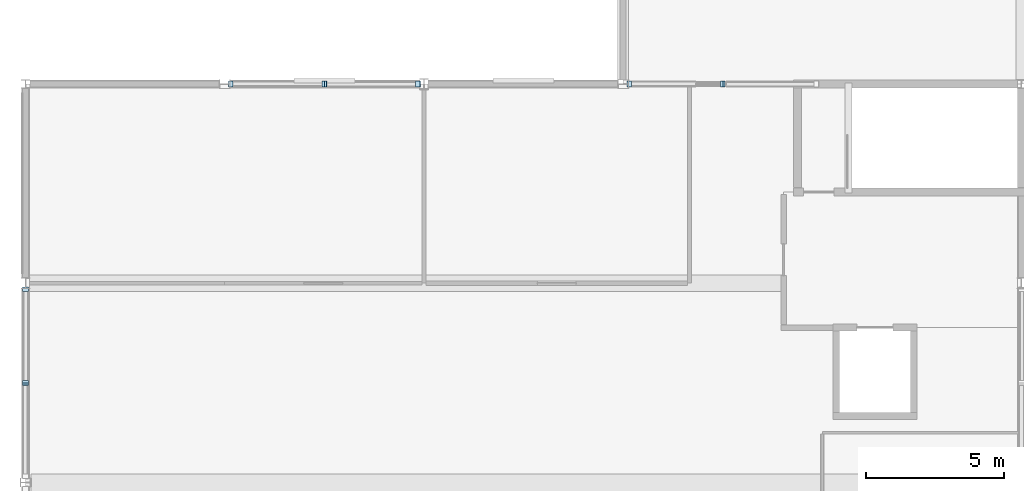
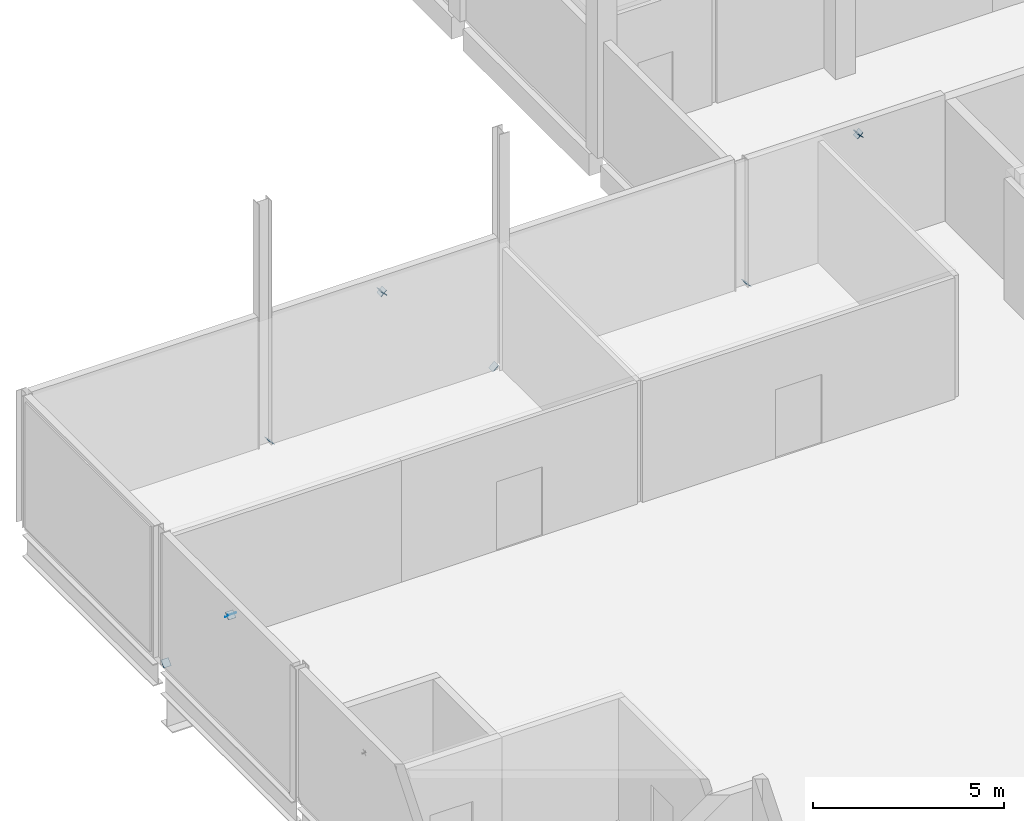
# One storey, part 14 of 20: 10 plates.
"""IFC4 building model written with IfcOpenShell, lengths in metres."""

from ifc_helpers import new_model, si_unit, direction, frame, origin, origin_2d, place, context, subcontext, project, spatial, rectangle, extrude, material, layer, layer_set, type_object, element, save


model = new_model("IFC4")

# Units and contexts
model_context = context("Model", 3, precision=1e-05, world=origin(), true_north=direction((0.0, 1.0)))
body_context = subcontext(model_context, "Body", "Model", "MODEL_VIEW")
ifc_project = project(units=[si_unit("LENGTHUNIT", "METRE"), si_unit("AREAUNIT", "SQUARE_METRE"), si_unit("VOLUMEUNIT", "CUBIC_METRE"), si_unit("PLANEANGLEUNIT", "RADIAN"), si_unit("MASSUNIT", "GRAM", prefix="KILO"), si_unit("THERMODYNAMICTEMPERATUREUNIT", "KELVIN"), si_unit("POWERUNIT", "WATT")], contexts=[model_context])

# Site, building, storey
site_placement = place(None, origin())
site = spatial("IfcSite", under=ifc_project, at=site_placement, CompositionType="ELEMENT")
building_placement = place(site_placement, origin())
building = spatial("IfcBuilding", under=site, at=building_placement, Name="Kaldorven Railside Theatre", CompositionType="ELEMENT")
storey_placement = place(building_placement, frame((0.0, 0.0, 23.10009765625)))
storey = spatial("IfcBuildingStorey", under=building, at=storey_placement, Name="L05", CompositionType="ELEMENT", Elevation=23.10009765625)

# Plates
ifc_material = material(Name="Steel S355", Category="steel")
ifc_layer = layer(ifc_material, 0.011962890625, Name="Steel S355")
ifc_layer_set = layer_set([ifc_layer], Name="Steel S355")
plate_type = type_object("IfcPlateType", Name="PLT-CAP-12", PredefinedType="USERDEFINED", material=ifc_layer_set)
for number, where, z_axis, x_axis, name in (
    (1, (87.199951171875, 101.99853515625, 3.618408203125), (0.0, 0.686453193248, 0.727173991201), (-1.0, 0.0, 0.0), "End cap gusset plate PL-0102"),
    (2, (87.199951171875, 105.386962890625, 0.03271484375), (0.0, -0.686453193248, 0.727173991201), (1.0, 0.0, 0.0), "End cap gusset plate PL-0103"),
    (3, (87.199951171875, 102.00146484375, 3.618408203125), (0.0, -0.686453193248, 0.727173991201), (1.0, 0.0, 0.0), "End cap gusset plate PL-0104"),
    (4, (94.613037109375, 112.800048828125, 0.03271484375), (0.686453193248, 0.0, 0.727173991201), (0.0, 1.0, 0.0), "End cap gusset plate PL-0113"),
    (5, (97.99853515625, 112.800048828125, 3.618408203125), (0.686453193248, 0.0, 0.727173991201), (0.0, 1.0, 0.0), "End cap gusset plate PL-0114"),
    (6, (101.386962890625, 112.800048828125, 0.03271484375), (-0.686453193248, 0.0, 0.727173991201), (0.0, -1.0, 0.0), "End cap gusset plate PL-0115"),
    (7, (98.00146484375, 112.800048828125, 3.618408203125), (-0.686453193248, 0.0, 0.727173991201), (0.0, -1.0, 0.0), "End cap gusset plate PL-0116"),
    (8, (109.01318359375, 112.800048828125, 0.03271484375), (0.686453193248, 0.0, 0.727173991201), (0.0, 1.0, 0.0), "End cap gusset plate PL-0117"),
    (9, (112.3984375, 112.800048828125, 3.618408203125), (0.686453193248, 0.0, 0.727173991201), (0.0, 1.0, 0.0), "End cap gusset plate PL-0118"),
    (10, (112.4013671875, 112.800048828125, 3.618408203125), (-0.686453193248, 0.0, 0.727173991201), (0.0, -1.0, 0.0), "End cap gusset plate PL-0120"),
):
    element("IfcPlate", number, at=place(storey_placement, frame(where, z_axis=z_axis, x_axis=x_axis)), inside=storey, type_object=plate_type, Name=name, ObjectType="CAP PLATE", PredefinedType="USERDEFINED", context=body_context, shape_type="SweptSolid", body=[
        extrude(rectangle(XDim=0.22802734375, YDim=0.22802734375, at=origin_2d()), origin(), (0.0, 0.0, 1.0), 0.011962890625),
    ])

save(model, "model.ifc")
